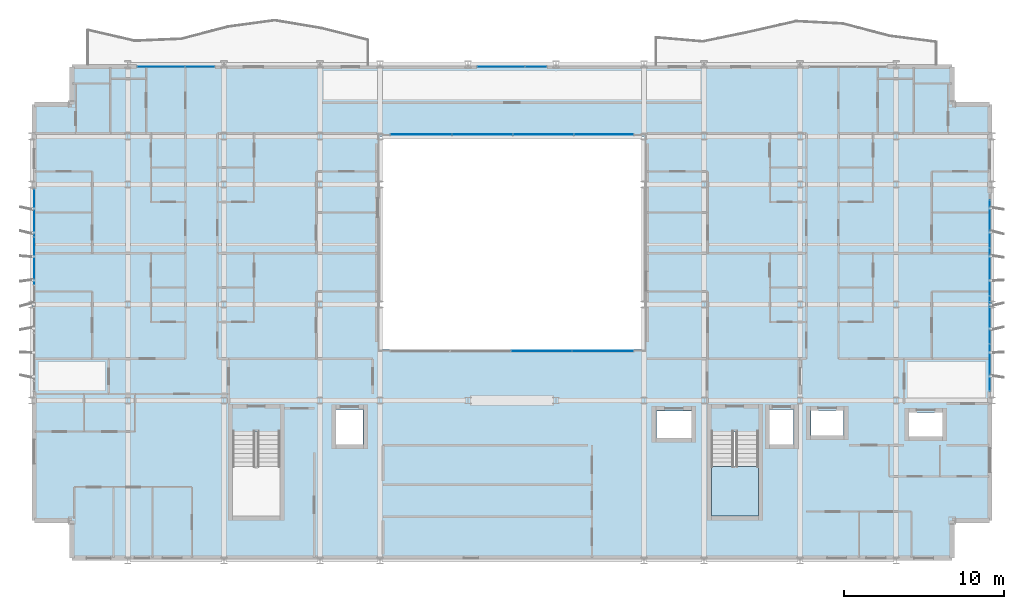
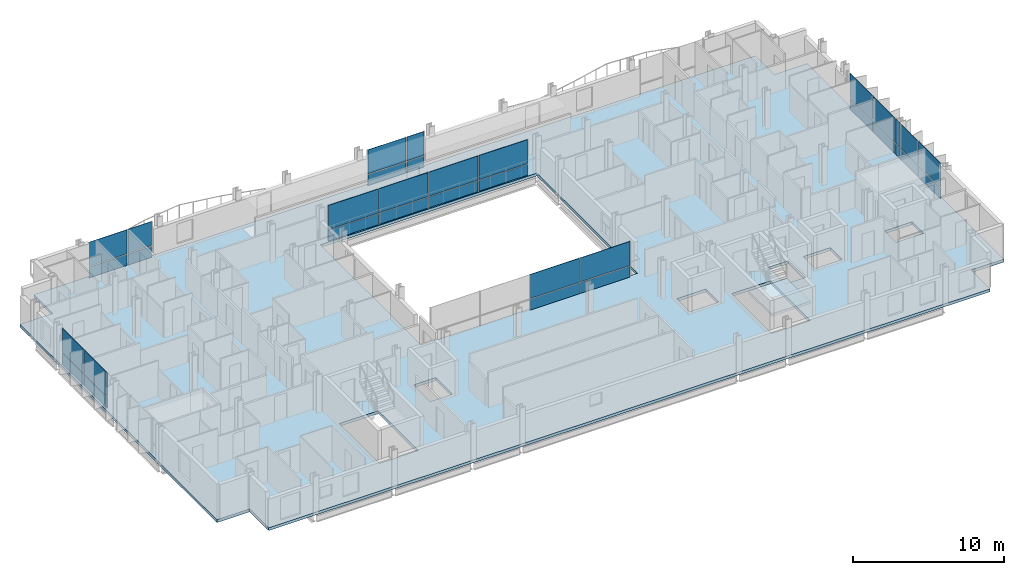
# One storey, part 23 of 39: 32 plates, 2 slabs, 7 elements without a shape of their own.
"""IFC4 building model written with IfcOpenShell, lengths in metres."""

from ifc_helpers import new_model, si_unit, direction, frame, origin, origin_2d, place, context, subcontext, project, spatial, polyline, rectangle, outline, extrude, material, layer, layer_set, type_object, element, aggregate, save


model = new_model("IFC4")

# Units and contexts
model_context = context("Model", 3, precision=1e-05, world=origin(), true_north=direction((0.0, 1.0)))
body_context = subcontext(model_context, "Body", "Model", "MODEL_VIEW")
ifc_project = project(units=[si_unit("LENGTHUNIT", "METRE"), si_unit("AREAUNIT", "SQUARE_METRE"), si_unit("VOLUMEUNIT", "CUBIC_METRE"), si_unit("PLANEANGLEUNIT", "RADIAN"), si_unit("MASSUNIT", "GRAM", prefix="KILO")], contexts=[model_context])

# Site, building, storey
site_placement = place(None, origin())
site = spatial("IfcSite", under=ifc_project, at=site_placement, CompositionType="ELEMENT")
building_placement = place(site_placement, origin())
building = spatial("IfcBuilding", under=site, at=building_placement, Name="Brevholm Reach", CompositionType="ELEMENT")
storey_placement = place(building_placement, frame((0.0, 0.0, 83.800048828125)))
storey = spatial("IfcBuildingStorey", under=building, at=storey_placement, Name="L24", CompositionType="ELEMENT", Elevation=83.800048828125)

# Curtain wall, plates
ifc_material_1 = material(Name="Dark Anodised Aluminium 6063-T6 and Solar-Control Glass", Category="aluminium")
ifc_layer_1 = layer(ifc_material_1, 0.14990234375)
ifc_layer_set_1 = layer_set([ifc_layer_1], Name="Dark Anodised Aluminium 6063-T6 and Solar-Control Glass")
curtain_wall_type_1 = type_object("IfcCurtainWallType", Name="CW-01", PredefinedType="NOTDEFINED", material=ifc_layer_set_1)
curtain_wall_1_placement = place(storey_placement, origin())
curtain_wall_1 = element("IfcCurtainWall", 1, at=curtain_wall_1_placement, inside=storey, type_object=curtain_wall_type_1, Name="L24 Curtain Wall CW-01", PredefinedType="NOTDEFINED")
ifc_material_2 = material(Name="Dark Solar-Control Double-Glazed IGU Glass", Category="glass")
ifc_layer_2 = layer(ifc_material_2, 0.028076171875)
ifc_layer_set_2 = layer_set([ifc_layer_2], Name="Dark Solar-Control Double-Glazed IGU Glass")
plate_type_1 = type_object("IfcPlateType", Name="CWP-GLZ-28", PredefinedType="CURTAIN_PANEL", material=ifc_layer_set_2)
plate_1_placement = place(storey_placement, frame((0.14990234375, 21.703857421875, 0.0), z_axis=(0.0, 0.0, 1.0), x_axis=(0.0, -1.0, 0.0)))
plate_1 = element("IfcPlate", 2, at=plate_1_placement, type_object=plate_type_1, Name="CP-01 Glazing Panel 1.1", PredefinedType="CURTAIN_PANEL", context=body_context, shape_type="SweptSolid", body=[
    extrude(rectangle(XDim=2.902587890625, YDim=0.028076171875, at=origin_2d()), origin(), (0.0, 0.0, 1.0), 0.867431640625),
])
plate_2_placement = place(storey_placement, frame((0.14990234375, 21.703857421875, 0.932373046875), z_axis=(0.0, 0.0, 1.0), x_axis=(0.0, -1.0, 0.0)))
plate_2 = element("IfcPlate", 3, at=plate_2_placement, type_object=plate_type_1, Name="CP-01 Glazing Panel 1.2", PredefinedType="CURTAIN_PANEL", context=body_context, shape_type="SweptSolid", body=[
    extrude(rectangle(XDim=2.902587890625, YDim=0.028076171875, at=origin_2d()), origin(), (0.0, 0.0, 1.0), 1.9375),
])
plate_3_placement = place(storey_placement, frame((0.14990234375, 18.719970703125, 0.0), z_axis=(0.0, 0.0, 1.0), x_axis=(0.0, -1.0, 0.0)))
plate_3 = element("IfcPlate", 4, at=plate_3_placement, type_object=plate_type_1, Name="CP-01 Glazing Panel 2.1", PredefinedType="CURTAIN_PANEL", context=body_context, shape_type="SweptSolid", body=[
    extrude(rectangle(XDim=2.93505859375, YDim=0.028076171875, at=origin_2d()), origin(), (0.0, 0.0, 1.0), 0.867431640625),
])
plate_4_placement = place(storey_placement, frame((0.14990234375, 18.719970703125, 0.932373046875), z_axis=(0.0, 0.0, 1.0), x_axis=(0.0, -1.0, 0.0)))
plate_4 = element("IfcPlate", 5, at=plate_4_placement, type_object=plate_type_1, Name="CP-01 Glazing Panel 2.2", PredefinedType="CURTAIN_PANEL", context=body_context, shape_type="SweptSolid", body=[
    extrude(rectangle(XDim=2.93505859375, YDim=0.028076171875, at=origin_2d()), origin(), (0.0, 0.0, 1.0), 1.9375),
])
aggregate(curtain_wall_1, [plate_1, plate_2, plate_3, plate_4])

curtain_wall_2_placement = place(storey_placement, origin())
curtain_wall_2 = element("IfcCurtainWall", 6, at=curtain_wall_2_placement, inside=storey, type_object=curtain_wall_type_1, Name="L24 Curtain Wall CW-01", PredefinedType="NOTDEFINED")
plate_5_placement = place(storey_placement, frame((59.85009765625, 12.066162109375, 0.0), z_axis=(0.0, 0.0, 1.0), x_axis=(0.0, 1.0, 0.0)))
plate_5 = element("IfcPlate", 7, at=plate_5_placement, type_object=plate_type_1, Name="CP-01 Glazing Panel 1.1", PredefinedType="CURTAIN_PANEL", context=body_context, shape_type="SweptSolid", body=[
    extrude(rectangle(XDim=2.902587890625, YDim=0.028076171875, at=origin_2d()), origin(), (0.0, 0.0, 1.0), 0.867431640625),
])
plate_6_placement = place(storey_placement, frame((59.85009765625, 12.066162109375, 0.932373046875), z_axis=(0.0, 0.0, 1.0), x_axis=(0.0, 1.0, 0.0)))
plate_6 = element("IfcPlate", 8, at=plate_6_placement, type_object=plate_type_1, Name="CP-01 Glazing Panel 1.2", PredefinedType="CURTAIN_PANEL", context=body_context, shape_type="SweptSolid", body=[
    extrude(rectangle(XDim=2.902587890625, YDim=0.028076171875, at=origin_2d()), origin(), (0.0, 0.0, 1.0), 1.9375),
])
plate_7_placement = place(storey_placement, frame((59.85009765625, 15.050048828125, 0.0), z_axis=(0.0, 0.0, 1.0), x_axis=(0.0, 1.0, 0.0)))
plate_7 = element("IfcPlate", 9, at=plate_7_placement, type_object=plate_type_1, Name="CP-01 Glazing Panel 2.1", PredefinedType="CURTAIN_PANEL", context=body_context, shape_type="SweptSolid", body=[
    extrude(rectangle(XDim=2.93505859375, YDim=0.028076171875, at=origin_2d()), origin(), (0.0, 0.0, 1.0), 0.867431640625),
])
plate_8_placement = place(storey_placement, frame((59.85009765625, 15.050048828125, 0.932373046875), z_axis=(0.0, 0.0, 1.0), x_axis=(0.0, 1.0, 0.0)))
plate_8 = element("IfcPlate", 10, at=plate_8_placement, type_object=plate_type_1, Name="CP-01 Glazing Panel 2.2", PredefinedType="CURTAIN_PANEL", context=body_context, shape_type="SweptSolid", body=[
    extrude(rectangle(XDim=2.93505859375, YDim=0.028076171875, at=origin_2d()), origin(), (0.0, 0.0, 1.0), 1.9375),
])
plate_9_placement = place(storey_placement, frame((59.85009765625, 18.050048828125, 0.0), z_axis=(0.0, 0.0, 1.0), x_axis=(0.0, 1.0, 0.0)))
plate_9 = element("IfcPlate", 11, at=plate_9_placement, type_object=plate_type_1, Name="CP-01 Glazing Panel 3.1", PredefinedType="CURTAIN_PANEL", context=body_context, shape_type="SweptSolid", body=[
    extrude(rectangle(XDim=2.93505859375, YDim=0.028076171875, at=origin_2d()), origin(), (0.0, 0.0, 1.0), 0.867431640625),
])
plate_10_placement = place(storey_placement, frame((59.85009765625, 18.050048828125, 0.932373046875), z_axis=(0.0, 0.0, 1.0), x_axis=(0.0, 1.0, 0.0)))
plate_10 = element("IfcPlate", 12, at=plate_10_placement, type_object=plate_type_1, Name="CP-01 Glazing Panel 3.2", PredefinedType="CURTAIN_PANEL", context=body_context, shape_type="SweptSolid", body=[
    extrude(rectangle(XDim=2.93505859375, YDim=0.028076171875, at=origin_2d()), origin(), (0.0, 0.0, 1.0), 1.9375),
])
plate_11_placement = place(storey_placement, frame((59.85009765625, 21.050048828125, 0.0), z_axis=(0.0, 0.0, 1.0), x_axis=(0.0, 1.0, 0.0)))
plate_11 = element("IfcPlate", 13, at=plate_11_placement, type_object=plate_type_1, Name="CP-01 Glazing Panel 4.1", PredefinedType="CURTAIN_PANEL", context=body_context, shape_type="SweptSolid", body=[
    extrude(rectangle(XDim=2.93505859375, YDim=0.028076171875, at=origin_2d()), origin(), (0.0, 0.0, 1.0), 0.867431640625),
])
plate_12_placement = place(storey_placement, frame((59.85009765625, 21.050048828125, 0.932373046875), z_axis=(0.0, 0.0, 1.0), x_axis=(0.0, 1.0, 0.0)))
plate_12 = element("IfcPlate", 14, at=plate_12_placement, type_object=plate_type_1, Name="CP-01 Glazing Panel 4.2", PredefinedType="CURTAIN_PANEL", context=body_context, shape_type="SweptSolid", body=[
    extrude(rectangle(XDim=2.93505859375, YDim=0.028076171875, at=origin_2d()), origin(), (0.0, 0.0, 1.0), 1.9375),
])
aggregate(curtain_wall_2, [plate_5, plate_6, plate_7, plate_8, plate_9, plate_10, plate_11, plate_12])

curtain_wall_3_placement = place(storey_placement, origin())
curtain_wall_3 = element("IfcCurtainWall", 15, at=curtain_wall_3_placement, inside=storey, type_object=curtain_wall_type_1, Name="L24 Curtain Wall CW-01", PredefinedType="NOTDEFINED")
plate_13_placement = place(storey_placement, frame((8.066162109375, 30.85009765625, 0.0), z_axis=(0.0, 0.0, 1.0), x_axis=(1.0, 0.0, 0.0)))
plate_13 = element("IfcPlate", 16, at=plate_13_placement, type_object=plate_type_1, Name="CP-01 Glazing Panel 1.1", PredefinedType="CURTAIN_PANEL", context=body_context, shape_type="SweptSolid", body=[
    extrude(rectangle(XDim=2.902587890625, YDim=0.028076171875, at=origin_2d()), origin(), (0.0, 0.0, 1.0), 0.867431640625),
])
plate_14_placement = place(storey_placement, frame((8.066162109375, 30.85009765625, 0.932373046875), z_axis=(0.0, 0.0, 1.0), x_axis=(1.0, 0.0, 0.0)))
plate_14 = element("IfcPlate", 17, at=plate_14_placement, type_object=plate_type_1, Name="CP-01 Glazing Panel 1.2", PredefinedType="CURTAIN_PANEL", context=body_context, shape_type="SweptSolid", body=[
    extrude(rectangle(XDim=2.902587890625, YDim=0.028076171875, at=origin_2d()), origin(), (0.0, 0.0, 1.0), 1.9375),
])
plate_15_placement = place(storey_placement, frame((10.483642578125, 30.85009765625, 0.0), z_axis=(0.0, 0.0, 1.0), x_axis=(1.0, 0.0, 0.0)))
plate_15 = element("IfcPlate", 18, at=plate_15_placement, type_object=plate_type_1, Name="CP-01 Glazing Panel 2.1", PredefinedType="CURTAIN_PANEL", context=body_context, shape_type="SweptSolid", body=[
    extrude(rectangle(XDim=1.802490234375, YDim=0.028076171875, at=origin_2d()), origin(), (0.0, 0.0, 1.0), 0.867431640625),
])
plate_16_placement = place(storey_placement, frame((10.483642578125, 30.85009765625, 0.932373046875), z_axis=(0.0, 0.0, 1.0), x_axis=(1.0, 0.0, 0.0)))
plate_16 = element("IfcPlate", 19, at=plate_16_placement, type_object=plate_type_1, Name="CP-01 Glazing Panel 2.2", PredefinedType="CURTAIN_PANEL", context=body_context, shape_type="SweptSolid", body=[
    extrude(rectangle(XDim=1.802490234375, YDim=0.028076171875, at=origin_2d()), origin(), (0.0, 0.0, 1.0), 1.9375),
])
aggregate(curtain_wall_3, [plate_13, plate_14, plate_15, plate_16])

curtain_wall_4_placement = place(storey_placement, origin())
curtain_wall_4 = element("IfcCurtainWall", 20, at=curtain_wall_4_placement, inside=storey, type_object=curtain_wall_type_1, Name="L24 Curtain Wall CW-01", PredefinedType="NOTDEFINED")
plate_17_placement = place(storey_placement, frame((29.316162109375, 30.85009765625, 0.0), z_axis=(0.0, 0.0, 1.0), x_axis=(1.0, 0.0, 0.0)))
plate_17 = element("IfcPlate", 21, at=plate_17_placement, type_object=plate_type_1, Name="CP-01 Glazing Panel 1.1", PredefinedType="CURTAIN_PANEL", context=body_context, shape_type="SweptSolid", body=[
    extrude(rectangle(XDim=2.902587890625, YDim=0.028076171875, at=origin_2d()), origin(), (0.0, 0.0, 1.0), 0.867431640625),
])
plate_18_placement = place(storey_placement, frame((29.316162109375, 30.85009765625, 0.932373046875), z_axis=(0.0, 0.0, 1.0), x_axis=(1.0, 0.0, 0.0)))
plate_18 = element("IfcPlate", 22, at=plate_18_placement, type_object=plate_type_1, Name="CP-01 Glazing Panel 1.2", PredefinedType="CURTAIN_PANEL", context=body_context, shape_type="SweptSolid", body=[
    extrude(rectangle(XDim=2.902587890625, YDim=0.028076171875, at=origin_2d()), origin(), (0.0, 0.0, 1.0), 1.9375),
])
plate_19_placement = place(storey_placement, frame((31.483642578125, 30.85009765625, 0.0), z_axis=(0.0, 0.0, 1.0), x_axis=(1.0, 0.0, 0.0)))
plate_19 = element("IfcPlate", 23, at=plate_19_placement, type_object=plate_type_1, Name="CP-01 Glazing Panel 2.1", PredefinedType="CURTAIN_PANEL", context=body_context, shape_type="SweptSolid", body=[
    extrude(rectangle(XDim=1.302490234375, YDim=0.028076171875, at=origin_2d()), origin(), (0.0, 0.0, 1.0), 0.867431640625),
])
plate_20_placement = place(storey_placement, frame((31.483642578125, 30.85009765625, 0.932373046875), z_axis=(0.0, 0.0, 1.0), x_axis=(1.0, 0.0, 0.0)))
plate_20 = element("IfcPlate", 24, at=plate_20_placement, type_object=plate_type_1, Name="CP-01 Glazing Panel 2.2", PredefinedType="CURTAIN_PANEL", context=body_context, shape_type="SweptSolid", body=[
    extrude(rectangle(XDim=1.302490234375, YDim=0.028076171875, at=origin_2d()), origin(), (0.0, 0.0, 1.0), 1.9375),
])
aggregate(curtain_wall_4, [plate_17, plate_18, plate_19, plate_20])

ifc_material_3 = material(Name="Dark Anodised Aluminium 6063-T6 and Solar-Control Glass", Category="aluminium")
ifc_layer_3 = layer(ifc_material_3, 0.139892578125)
ifc_layer_set_3 = layer_set([ifc_layer_3], Name="Dark Anodised Aluminium 6063-T6 and Solar-Control Glass")
curtain_wall_type_2 = type_object("IfcCurtainWallType", Name="CW-02", PredefinedType="NOTDEFINED", material=ifc_layer_set_3)
curtain_wall_5_placement = place(storey_placement, origin())
curtain_wall_5 = element("IfcCurtainWall", 25, at=curtain_wall_5_placement, inside=storey, type_object=curtain_wall_type_2, Name="L24 Curtain Wall CW-02", PredefinedType="NOTDEFINED")
ifc_material_4 = material(Name="Low-Iron Laminated Acoustic Glass", Category="glass")
ifc_layer_4 = layer(ifc_material_4, 0.035888671875)
ifc_layer_set_4 = layer_set([ifc_layer_4], Name="Low-Iron Laminated Acoustic Glass")
plate_type_2 = type_object("IfcPlateType", Name="CWP-GLZ-36", PredefinedType="CURTAIN_PANEL", material=ifc_layer_set_4)
plate_21_placement = place(storey_placement, frame((31.85009765625, 13.080078125, 0.0), z_axis=(0.0, 0.0, 1.0), x_axis=(1.0, 0.0, 0.0)))
plate_21 = element("IfcPlate", 26, at=plate_21_placement, type_object=plate_type_2, Name="CP-02 Glazing Panel 3.1", PredefinedType="CURTAIN_PANEL", context=body_context, shape_type="SweptSolid", body=[
    extrude(rectangle(XDim=3.739990234375, YDim=0.035888671875, at=origin_2d()), origin(), (0.0, 0.0, 1.0), 0.8701171875),
])
plate_22_placement = place(storey_placement, frame((31.85009765625, 13.080078125, 0.929931640625), z_axis=(0.0, 0.0, 1.0), x_axis=(1.0, 0.0, 0.0)))
plate_22 = element("IfcPlate", 27, at=plate_22_placement, type_object=plate_type_2, Name="CP-02 Glazing Panel 3.2", PredefinedType="CURTAIN_PANEL", context=body_context, shape_type="SweptSolid", body=[
    extrude(rectangle(XDim=3.739990234375, YDim=0.035888671875, at=origin_2d()), origin(), (0.0, 0.0, 1.0), 1.93994140625),
])
plate_23_placement = place(storey_placement, frame((35.68505859375, 13.080078125, 0.0), z_axis=(0.0, 0.0, 1.0), x_axis=(1.0, 0.0, 0.0)))
plate_23 = element("IfcPlate", 28, at=plate_23_placement, type_object=plate_type_2, Name="CP-02 Glazing Panel 4.1", PredefinedType="CURTAIN_PANEL", context=body_context, shape_type="SweptSolid", body=[
    extrude(rectangle(XDim=3.81005859375, YDim=0.035888671875, at=origin_2d()), origin(), (0.0, 0.0, 1.0), 0.8701171875),
])
plate_24_placement = place(storey_placement, frame((35.68505859375, 13.080078125, 0.929931640625), z_axis=(0.0, 0.0, 1.0), x_axis=(1.0, 0.0, 0.0)))
plate_24 = element("IfcPlate", 29, at=plate_24_placement, type_object=plate_type_2, Name="CP-02 Glazing Panel 4.2", PredefinedType="CURTAIN_PANEL", context=body_context, shape_type="SweptSolid", body=[
    extrude(rectangle(XDim=3.81005859375, YDim=0.035888671875, at=origin_2d()), origin(), (0.0, 0.0, 1.0), 1.93994140625),
])
aggregate(curtain_wall_5, [plate_21, plate_22, plate_23, plate_24])

curtain_wall_6_placement = place(storey_placement, origin())
curtain_wall_6 = element("IfcCurtainWall", 30, at=curtain_wall_6_placement, inside=storey, type_object=curtain_wall_type_2, Name="L24 Curtain Wall CW-02", PredefinedType="NOTDEFINED")
plate_25_placement = place(storey_placement, frame((35.735107421875, 26.6201171875, 0.0), z_axis=(0.0, 0.0, 1.0), x_axis=(-1.0, 0.0, 0.0)))
plate_25 = element("IfcPlate", 31, at=plate_25_placement, type_object=plate_type_2, Name="CP-02 Glazing Panel 1.1", PredefinedType="CURTAIN_PANEL", context=body_context, shape_type="SweptSolid", body=[
    extrude(rectangle(XDim=3.7099609375, YDim=0.035888671875, at=origin_2d()), origin(), (0.0, 0.0, 1.0), 0.8701171875),
])
plate_26_placement = place(storey_placement, frame((35.735107421875, 26.6201171875, 0.929931640625), z_axis=(0.0, 0.0, 1.0), x_axis=(-1.0, 0.0, 0.0)))
plate_26 = element("IfcPlate", 32, at=plate_26_placement, type_object=plate_type_2, Name="CP-02 Glazing Panel 1.2", PredefinedType="CURTAIN_PANEL", context=body_context, shape_type="SweptSolid", body=[
    extrude(rectangle(XDim=3.7099609375, YDim=0.035888671875, at=origin_2d()), origin(), (0.0, 0.0, 1.0), 1.93994140625),
])
plate_27_placement = place(storey_placement, frame((31.949951171875, 26.6201171875, 0.0), z_axis=(0.0, 0.0, 1.0), x_axis=(-1.0, 0.0, 0.0)))
plate_27 = element("IfcPlate", 33, at=plate_27_placement, type_object=plate_type_2, Name="CP-02 Glazing Panel 2.1", PredefinedType="CURTAIN_PANEL", context=body_context, shape_type="SweptSolid", body=[
    extrude(rectangle(XDim=3.739990234375, YDim=0.035888671875, at=origin_2d()), origin(), (0.0, 0.0, 1.0), 0.8701171875),
])
plate_28_placement = place(storey_placement, frame((31.949951171875, 26.6201171875, 0.929931640625), z_axis=(0.0, 0.0, 1.0), x_axis=(-1.0, 0.0, 0.0)))
plate_28 = element("IfcPlate", 34, at=plate_28_placement, type_object=plate_type_2, Name="CP-02 Glazing Panel 2.2", PredefinedType="CURTAIN_PANEL", context=body_context, shape_type="SweptSolid", body=[
    extrude(rectangle(XDim=3.739990234375, YDim=0.035888671875, at=origin_2d()), origin(), (0.0, 0.0, 1.0), 1.93994140625),
])
plate_29_placement = place(storey_placement, frame((28.14990234375, 26.6201171875, 0.0), z_axis=(0.0, 0.0, 1.0), x_axis=(-1.0, 0.0, 0.0)))
plate_29 = element("IfcPlate", 35, at=plate_29_placement, type_object=plate_type_2, Name="CP-02 Glazing Panel 3.1", PredefinedType="CURTAIN_PANEL", context=body_context, shape_type="SweptSolid", body=[
    extrude(rectangle(XDim=3.739990234375, YDim=0.035888671875, at=origin_2d()), origin(), (0.0, 0.0, 1.0), 0.8701171875),
])
plate_30_placement = place(storey_placement, frame((28.14990234375, 26.6201171875, 0.929931640625), z_axis=(0.0, 0.0, 1.0), x_axis=(-1.0, 0.0, 0.0)))
plate_30 = element("IfcPlate", 36, at=plate_30_placement, type_object=plate_type_2, Name="CP-02 Glazing Panel 3.2", PredefinedType="CURTAIN_PANEL", context=body_context, shape_type="SweptSolid", body=[
    extrude(rectangle(XDim=3.739990234375, YDim=0.035888671875, at=origin_2d()), origin(), (0.0, 0.0, 1.0), 1.93994140625),
])
plate_31_placement = place(storey_placement, frame((24.31494140625, 26.6201171875, 0.0), z_axis=(0.0, 0.0, 1.0), x_axis=(-1.0, 0.0, 0.0)))
plate_31 = element("IfcPlate", 37, at=plate_31_placement, type_object=plate_type_2, Name="CP-02 Glazing Panel 4.1", PredefinedType="CURTAIN_PANEL", context=body_context, shape_type="SweptSolid", body=[
    extrude(rectangle(XDim=3.81005859375, YDim=0.035888671875, at=origin_2d()), origin(), (0.0, 0.0, 1.0), 0.8701171875),
])
plate_32_placement = place(storey_placement, frame((24.31494140625, 26.6201171875, 0.929931640625), z_axis=(0.0, 0.0, 1.0), x_axis=(-1.0, 0.0, 0.0)))
plate_32 = element("IfcPlate", 38, at=plate_32_placement, type_object=plate_type_2, Name="CP-02 Glazing Panel 4.2", PredefinedType="CURTAIN_PANEL", context=body_context, shape_type="SweptSolid", body=[
    extrude(rectangle(XDim=3.81005859375, YDim=0.035888671875, at=origin_2d()), origin(), (0.0, 0.0, 1.0), 1.93994140625),
])
aggregate(curtain_wall_6, [plate_25, plate_26, plate_27, plate_28, plate_29, plate_30, plate_31, plate_32])

# Slab
ifc_material_5 = material(Name="Concrete C40/50", Category="concrete")
ifc_layer_5 = layer(ifc_material_5, 0.22998046875)
ifc_layer_set_5 = layer_set([ifc_layer_5], Name="Concrete C40/50")
slab_type_1 = type_object("IfcSlabType", Name="SLB-FL-230", PredefinedType="FLOOR", material=ifc_layer_set_5)
slab_1_placement = place(storey_placement, frame((0.0, 0.0, -0.22998046875)))
element("IfcSlab", 39, at=slab_1_placement, inside=storey, type_object=slab_type_1, Name="L24 Suspended Floor Slab (main)", PredefinedType="FLOOR", context=body_context, shape_type="SweptSolid", body=[
    extrude(outline(polyline([(2.5, 0.0), (57.5, 0.0), (57.5, 2.5), (60.0, 2.5), (60.0, 28.5), (57.5, 28.5), (57.5, 31.0), (2.5, 31.0), (2.5, 28.5), (0.0, 28.5), (0.0, 2.5), (2.5, 2.5), (2.5, 0.0)]), holes=[polyline([(21.75, 13.199951171875), (38.25, 13.199951171875), (38.25, 26.5), (21.75, 26.5), (21.75, 13.199951171875)]), polyline([(12.550048828125, 2.780029296875), (15.5, 2.780029296875), (15.5, 8.044921875), (12.550048828125, 8.044921875), (12.550048828125, 2.780029296875)]), polyline([(42.449951171875, 2.780029296875), (45.39990234375, 2.780029296875), (45.39990234375, 8.044921875), (42.449951171875, 8.044921875), (42.449951171875, 2.780029296875)]), polyline([(19.0, 7.25), (20.699951171875, 7.25), (20.699951171875, 9.449951171875), (19.0, 9.449951171875), (19.0, 7.25)]), polyline([(46.10009765625, 7.25), (47.60009765625, 7.25), (47.60009765625, 9.449951171875), (46.10009765625, 9.449951171875), (46.10009765625, 7.25)]), polyline([(48.675048828125, 7.824951171875), (50.72509765625, 7.824951171875), (50.72509765625, 9.375), (48.675048828125, 9.375), (48.675048828125, 7.824951171875)]), polyline([(54.800048828125, 7.75), (56.89990234375, 7.75), (56.89990234375, 9.25), (54.800048828125, 9.25), (54.800048828125, 7.75)]), polyline([(39.02001953125, 7.64990234375), (41.219970703125, 7.64990234375), (41.219970703125, 9.35009765625), (39.02001953125, 9.35009765625), (39.02001953125, 7.64990234375)])]), origin(), (0.0, 0.0, 1.0), 0.22998046875),
])

# Stair, slab
ifc_material_6 = material(Name="Precast Concrete C40/50", Category="concrete")
stair_type = type_object("IfcStairType", Name="STR-ESC-1400", PredefinedType="DOUBLE_RETURN_STAIR", material=ifc_material_6)
stair_placement = place(storey_placement, origin())
stair = element("IfcStair", 40, at=stair_placement, inside=storey, type_object=stair_type, Name="L24 ST-2", PredefinedType="DOUBLE_RETURN_STAIR")
ifc_material_7 = material(Name="Concrete C40/50", Category="concrete")
ifc_layer_6 = layer(ifc_material_7, 0.199951171875)
ifc_layer_set_6 = layer_set([ifc_layer_6], Name="Concrete C40/50")
slab_type_2 = type_object("IfcSlabType", Name="SLB-LND-200", PredefinedType="LANDING", material=ifc_layer_set_6)
slab_2_placement = place(storey_placement, frame((0.0, 0.0, 1.349853515625)))
slab_2 = element("IfcSlab", 41, at=slab_2_placement, type_object=slab_type_2, Name="ST-2 landing 1", PredefinedType="LANDING", context=body_context, shape_type="SweptSolid", body=[
    extrude(outline(polyline([(42.449951171875, 5.860107421875), (42.449951171875, 2.780029296875), (45.39990234375, 2.780029296875), (45.39990234375, 5.860107421875), (42.449951171875, 5.860107421875)])), origin(), (0.0, 0.0, 1.0), 0.2001953125),
])
aggregate(stair, [slab_2])

save(model, "model.ifc")
